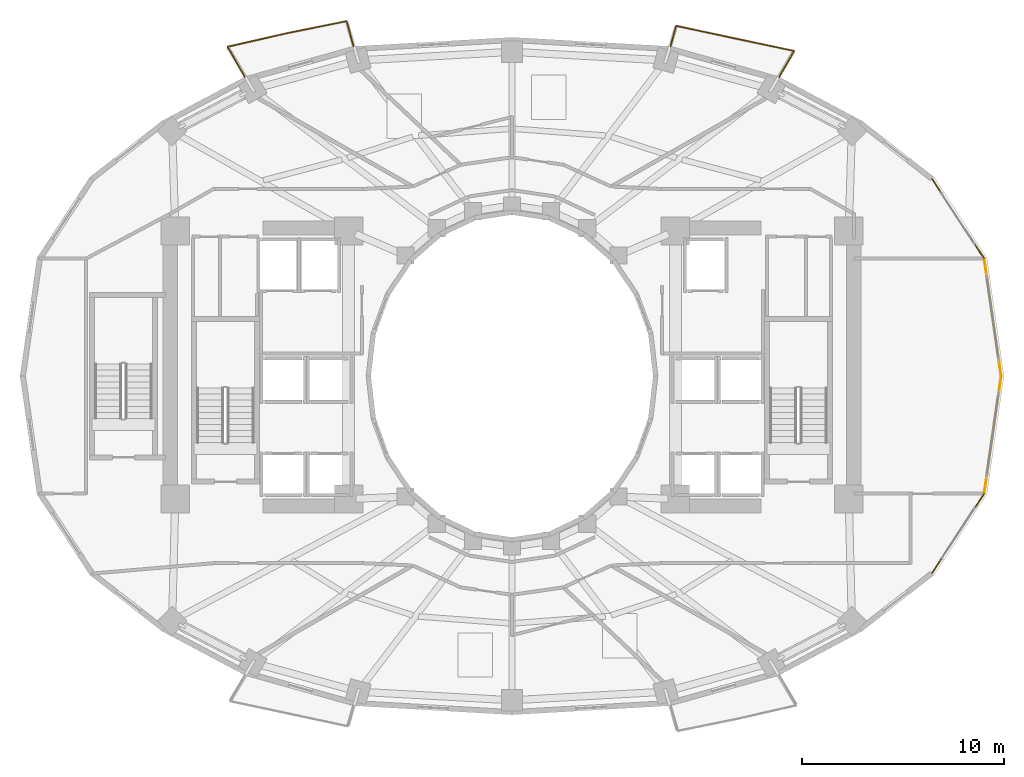
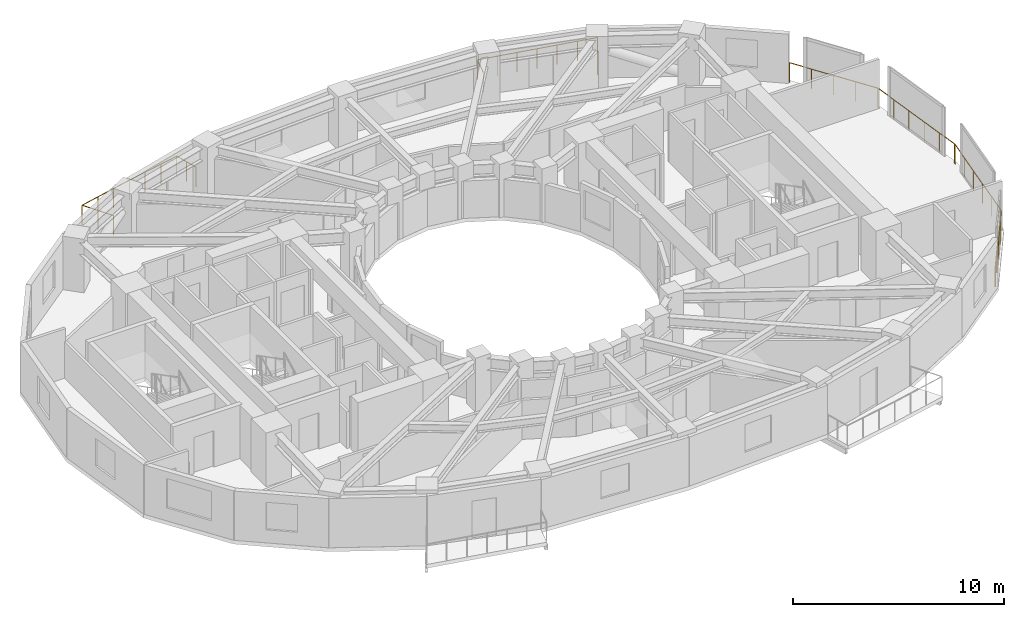
# One storey, part 14 of 14: 6 railings.
"""IFC4 building model written with IfcOpenShell, lengths in metres."""

from ifc_helpers import new_model, si_unit, direction, frame, origin, origin_2d, place, context, subcontext, project, spatial, circle, extrude, material, type_object, element, save


model = new_model("IFC4")

# Units and contexts
model_context = context("Model", 3, precision=1e-05, world=origin(), true_north=direction((0.0, 1.0)))
body_context = subcontext(model_context, "Body", "Model", "MODEL_VIEW")
ifc_project = project(units=[si_unit("LENGTHUNIT", "METRE"), si_unit("AREAUNIT", "SQUARE_METRE"), si_unit("VOLUMEUNIT", "CUBIC_METRE"), si_unit("PLANEANGLEUNIT", "RADIAN"), si_unit("MASSUNIT", "GRAM", prefix="KILO")], contexts=[model_context])

# Site, building, storey
site_placement = place(None, origin())
site = spatial("IfcSite", under=ifc_project, at=site_placement, CompositionType="ELEMENT")
building_placement = place(site_placement, origin())
building = spatial("IfcBuilding", under=site, at=building_placement, Name="Solvane Sanctuary Tower", CompositionType="ELEMENT")
storey_placement = place(building_placement, frame((0.0, 0.0, 88.699951171875)))
storey = spatial("IfcBuildingStorey", under=building, at=storey_placement, Name="L26", CompositionType="ELEMENT", Elevation=88.699951171875)

# Railings
ifc_material = material(Name="Architectural Stainless Steel 316", Category="steel")
railing_type = type_object("IfcRailingType", Name="Railing GR-BALC-1150", PredefinedType="BALUSTRADE", material=ifc_material)
railing_1_placement = place(storey_placement, frame((56.255615234375, 23.02978515625, 0.0)))
element("IfcRailing", 1, at=railing_1_placement, inside=storey, type_object=railing_type, Name="L26 Curtain-Wall Perimeter Sill Guard 00", PredefinedType="BALUSTRADE", context=body_context, shape_type="SweptSolid", body=[
    extrude(circle(Radius=0.02392578125, at=origin_2d()), frame((0.0, 0.0, 1.1259765625), z_axis=(-0.142572582449, 0.98978434961, 0.0), x_axis=(-0.98978434961, -0.142572582449, 0.0)), (0.0, 0.0, 1.0), 5.818603515625),
    extrude(circle(Radius=0.02099609375, at=origin_2d()), origin(), (0.0, 0.0, 1.0), 1.101806640625),
    extrude(circle(Radius=0.02099609375, at=origin_2d()), frame((-0.166015625, 1.15185546875, 0.0)), (0.0, 0.0, 1.0), 1.101806640625),
    extrude(circle(Radius=0.02099609375, at=origin_2d()), frame((-0.331787109375, 2.3037109375, 0.0)), (0.0, 0.0, 1.0), 1.101806640625),
    extrude(circle(Radius=0.02099609375, at=origin_2d()), frame((-0.497802734375, 3.45556640625, 0.0)), (0.0, 0.0, 1.0), 1.101806640625),
    extrude(circle(Radius=0.02099609375, at=origin_2d()), frame((-0.66357421875, 4.607421875, 0.0)), (0.0, 0.0, 1.0), 1.101806640625),
    extrude(circle(Radius=0.02099609375, at=origin_2d()), frame((-0.82958984375, 5.75927734375, 0.0)), (0.0, 0.0, 1.0), 1.101806640625),
])
railing_2_placement = place(storey_placement, frame((55.405517578125, 28.84375, 0.0)))
element("IfcRailing", 2, at=railing_2_placement, inside=storey, type_object=railing_type, Name="L26 Curtain-Wall Perimeter Sill Guard 01", PredefinedType="BALUSTRADE", context=body_context, shape_type="SweptSolid", body=[
    extrude(circle(Radius=0.02392578125, at=origin_2d()), frame((0.0, 0.0, 1.1259765625), z_axis=(-0.548321711093, 0.836267481817, 0.0), x_axis=(-0.836267481817, -0.548321711093, 0.0)), (0.0, 0.0, 1.0), 4.6845703125),
    extrude(circle(Radius=0.02099609375, at=origin_2d()), origin(), (0.0, 0.0, 1.0), 1.101806640625),
    extrude(circle(Radius=0.02099609375, at=origin_2d()), frame((-0.64208984375, 0.9794921875, 0.0)), (0.0, 0.0, 1.0), 1.101806640625),
    extrude(circle(Radius=0.02099609375, at=origin_2d()), frame((-1.2841796875, 1.958740234375, 0.0)), (0.0, 0.0, 1.0), 1.101806640625),
    extrude(circle(Radius=0.02099609375, at=origin_2d()), frame((-1.926513671875, 2.93798828125, 0.0)), (0.0, 0.0, 1.0), 1.101806640625),
    extrude(circle(Radius=0.02099609375, at=origin_2d()), frame((-2.568603515625, 3.91748046875, 0.0)), (0.0, 0.0, 1.0), 1.101806640625),
])
railing_3_placement = place(storey_placement, frame((45.249267578125, 37.83544921875, 0.0)))
element("IfcRailing", 3, at=railing_3_placement, inside=storey, type_object=railing_type, Name="L26 Wave Balcony Balustrade N1", PredefinedType="BALUSTRADE", context=body_context, shape_type="SweptSolid", body=[
    extrude(circle(Radius=0.02392578125, at=origin_2d()), frame((0.0, 0.0, 1.1259765625), z_axis=(0.500121308272, 0.865955355092, 0.0), x_axis=(-0.865955355092, 0.500121308272, 0.0)), (0.0, 0.0, 1.0), 1.483642578125),
    extrude(circle(Radius=0.02392578125, at=origin_2d()), frame((0.741943359375, 1.28466796875, 1.1259765625), z_axis=(-0.978253993072, 0.20741052297, 0.0), x_axis=(-0.20741052297, -0.978253993072, 0.0)), (0.0, 0.0, 1.0), 3.022705078125),
    extrude(circle(Radius=0.02392578125, at=origin_2d()), frame((-2.215087890625, 1.91162109375, 1.1259765625), z_axis=(-0.977904715222, 0.20905111324, 0.0), x_axis=(-0.20905111324, -0.977904715222, 0.0)), (0.0, 0.0, 1.0), 2.965087890625),
    extrude(circle(Radius=0.02392578125, at=origin_2d()), frame((-5.11474609375, 2.531494140625, 1.1259765625), z_axis=(-0.258828577896, -0.965923271934, 0.0), x_axis=(0.965923271934, -0.258828577896, 0.0)), (0.0, 0.0, 1.0), 1.055419921875),
    extrude(circle(Radius=0.02099609375, at=origin_2d()), origin(), (0.0, 0.0, 1.0), 1.101806640625),
    extrude(circle(Radius=0.02099609375, at=origin_2d()), frame((0.37109375, 0.642333984375, 0.0)), (0.0, 0.0, 1.0), 1.101806640625),
    extrude(circle(Radius=0.02099609375, at=origin_2d()), frame((0.741943359375, 1.28466796875, 0.0)), (0.0, 0.0, 1.0), 1.101806640625),
    extrude(circle(Radius=0.02099609375, at=origin_2d()), frame((-0.24365234375, 1.49365234375, 0.0)), (0.0, 0.0, 1.0), 1.101806640625),
    extrude(circle(Radius=0.02099609375, at=origin_2d()), frame((-1.2294921875, 1.70263671875, 0.0)), (0.0, 0.0, 1.0), 1.101806640625),
    extrude(circle(Radius=0.02099609375, at=origin_2d()), frame((-2.215087890625, 1.91162109375, 0.0)), (0.0, 0.0, 1.0), 1.101806640625),
    extrude(circle(Radius=0.02099609375, at=origin_2d()), frame((-3.181640625, 2.1181640625, 0.0)), (0.0, 0.0, 1.0), 1.101806640625),
    extrude(circle(Radius=0.02099609375, at=origin_2d()), frame((-4.148193359375, 2.324951171875, 0.0)), (0.0, 0.0, 1.0), 1.101806640625),
    extrude(circle(Radius=0.02099609375, at=origin_2d()), frame((-5.11474609375, 2.531494140625, 0.0)), (0.0, 0.0, 1.0), 1.101806640625),
    extrude(circle(Radius=0.02099609375, at=origin_2d()), frame((-5.387939453125, 1.511962890625, 0.0)), (0.0, 0.0, 1.0), 1.101806640625),
])
railing_4_placement = place(storey_placement, frame((24.138671875, 39.347412109375, 0.0)))
element("IfcRailing", 4, at=railing_4_placement, inside=storey, type_object=railing_type, Name="L26 Wave Balcony Balustrade N2", PredefinedType="BALUSTRADE", context=body_context, shape_type="SweptSolid", body=[
    extrude(circle(Radius=0.02392578125, at=origin_2d()), frame((0.0, 0.0, 1.1259765625), z_axis=(-0.258940032115, 0.965893399795, 0.0), x_axis=(-0.965893399795, -0.258940032115, 0.0)), (0.0, 0.0, 1.0), 1.29638671875),
    extrude(circle(Radius=0.02392578125, at=origin_2d()), frame((-0.335693359375, 1.252197265625, 1.1259765625), z_axis=(-0.980127825812, -0.198366945503, 0.0), x_axis=(0.198366945503, -0.980127825812, 0.0)), (0.0, 0.0, 1.0), 3.0029296875),
    extrude(circle(Radius=0.02392578125, at=origin_2d()), frame((-3.279052734375, 0.656494140625, 1.1259765625), z_axis=(-0.975131281586, -0.221628029981, 0.0), x_axis=(0.221628029981, -0.975131281586, 0.0)), (0.0, 0.0, 1.0), 3.046875),
    extrude(circle(Radius=0.02392578125, at=origin_2d()), frame((-6.250244140625, -0.018798828125, 1.1259765625), z_axis=(0.500098305348, -0.865968639725, 0.0), x_axis=(0.865968639725, 0.500098305348, 0.0)), (0.0, 0.0, 1.0), 1.724365234375),
    extrude(circle(Radius=0.02099609375, at=origin_2d()), origin(), (0.0, 0.0, 1.0), 1.101806640625),
    extrude(circle(Radius=0.02099609375, at=origin_2d()), frame((-0.16796875, 0.6259765625, 0.0)), (0.0, 0.0, 1.0), 1.101806640625),
    extrude(circle(Radius=0.02099609375, at=origin_2d()), frame((-0.335693359375, 1.252197265625, 0.0)), (0.0, 0.0, 1.0), 1.101806640625),
    extrude(circle(Radius=0.02099609375, at=origin_2d()), frame((-1.31689453125, 1.0537109375, 0.0)), (0.0, 0.0, 1.0), 1.101806640625),
    extrude(circle(Radius=0.02099609375, at=origin_2d()), frame((-2.2978515625, 0.85498046875, 0.0)), (0.0, 0.0, 1.0), 1.101806640625),
    extrude(circle(Radius=0.02099609375, at=origin_2d()), frame((-3.279052734375, 0.656494140625, 0.0)), (0.0, 0.0, 1.0), 1.101806640625),
    extrude(circle(Radius=0.02099609375, at=origin_2d()), frame((-4.26953125, 0.431396484375, 0.0)), (0.0, 0.0, 1.0), 1.101806640625),
    extrude(circle(Radius=0.02099609375, at=origin_2d()), frame((-5.259765625, 0.206298828125, 0.0)), (0.0, 0.0, 1.0), 1.101806640625),
    extrude(circle(Radius=0.02099609375, at=origin_2d()), frame((-6.250244140625, -0.018798828125, 0.0)), (0.0, 0.0, 1.0), 1.101806640625),
    extrude(circle(Radius=0.02099609375, at=origin_2d()), frame((-5.819091796875, -0.765380859375, 0.0)), (0.0, 0.0, 1.0), 1.101806640625),
    extrude(circle(Radius=0.02099609375, at=origin_2d()), frame((-5.387939453125, -1.511962890625, 0.0)), (0.0, 0.0, 1.0), 1.101806640625),
])
railing_5_placement = place(storey_placement, frame((52.8369140625, 13.23876953125, 0.0)))
element("IfcRailing", 5, at=railing_5_placement, inside=storey, type_object=railing_type, Name="L26 Curtain-Wall Perimeter Sill Guard 22", PredefinedType="BALUSTRADE", context=body_context, shape_type="SweptSolid", body=[
    extrude(circle(Radius=0.02392578125, at=origin_2d()), frame((0.0, 0.0, 1.1259765625), z_axis=(0.548321711093, 0.836267481817, 0.0), x_axis=(-0.836267481817, 0.548321711093, 0.0)), (0.0, 0.0, 1.0), 4.6845703125),
    extrude(circle(Radius=0.02099609375, at=origin_2d()), origin(), (0.0, 0.0, 1.0), 1.101806640625),
    extrude(circle(Radius=0.02099609375, at=origin_2d()), frame((0.64208984375, 0.9794921875, 0.0)), (0.0, 0.0, 1.0), 1.101806640625),
    extrude(circle(Radius=0.02099609375, at=origin_2d()), frame((1.2841796875, 1.958740234375, 0.0)), (0.0, 0.0, 1.0), 1.101806640625),
    extrude(circle(Radius=0.02099609375, at=origin_2d()), frame((1.926513671875, 2.93798828125, 0.0)), (0.0, 0.0, 1.0), 1.101806640625),
    extrude(circle(Radius=0.02099609375, at=origin_2d()), frame((2.568603515625, 3.91748046875, 0.0)), (0.0, 0.0, 1.0), 1.101806640625),
])
railing_6_placement = place(storey_placement, frame((55.426025390625, 17.2109375, 0.0)))
element("IfcRailing", 6, at=railing_6_placement, inside=storey, type_object=railing_type, Name="L26 Curtain-Wall Perimeter Sill Guard 23", PredefinedType="BALUSTRADE", context=body_context, shape_type="SweptSolid", body=[
    extrude(circle(Radius=0.02392578125, at=origin_2d()), frame((0.0, 0.0, 1.1259765625), z_axis=(0.142572582449, 0.98978434961, 0.0), x_axis=(-0.98978434961, 0.142572582449, 0.0)), (0.0, 0.0, 1.0), 5.818603515625),
    extrude(circle(Radius=0.02099609375, at=origin_2d()), origin(), (0.0, 0.0, 1.0), 1.101806640625),
    extrude(circle(Radius=0.02099609375, at=origin_2d()), frame((0.166015625, 1.15185546875, 0.0)), (0.0, 0.0, 1.0), 1.101806640625),
    extrude(circle(Radius=0.02099609375, at=origin_2d()), frame((0.331787109375, 2.3037109375, 0.0)), (0.0, 0.0, 1.0), 1.101806640625),
    extrude(circle(Radius=0.02099609375, at=origin_2d()), frame((0.497802734375, 3.45556640625, 0.0)), (0.0, 0.0, 1.0), 1.101806640625),
    extrude(circle(Radius=0.02099609375, at=origin_2d()), frame((0.66357421875, 4.607421875, 0.0)), (0.0, 0.0, 1.0), 1.101806640625),
    extrude(circle(Radius=0.02099609375, at=origin_2d()), frame((0.82958984375, 5.75927734375, 0.0)), (0.0, 0.0, 1.0), 1.101806640625),
])

save(model, "model.ifc")
